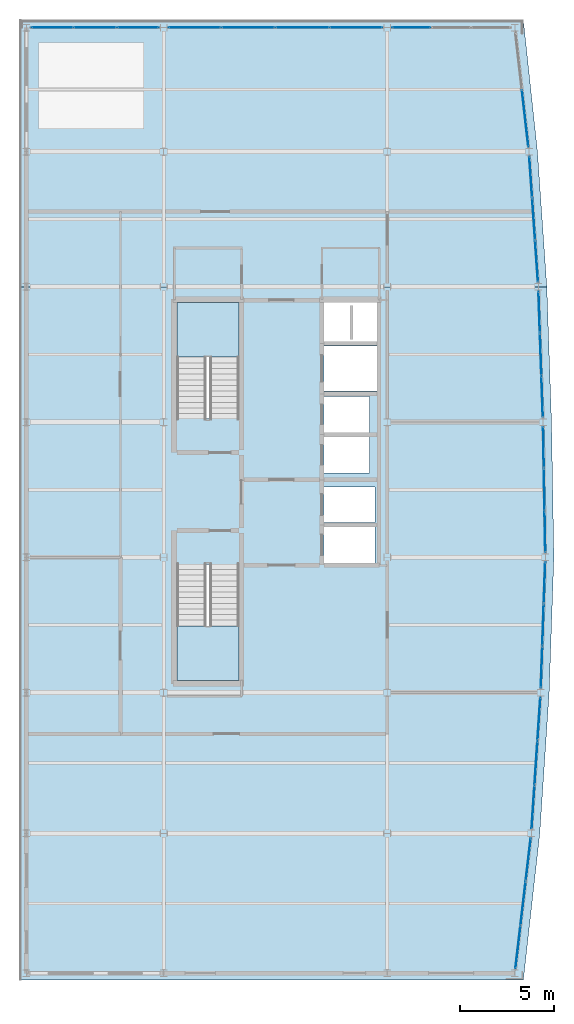
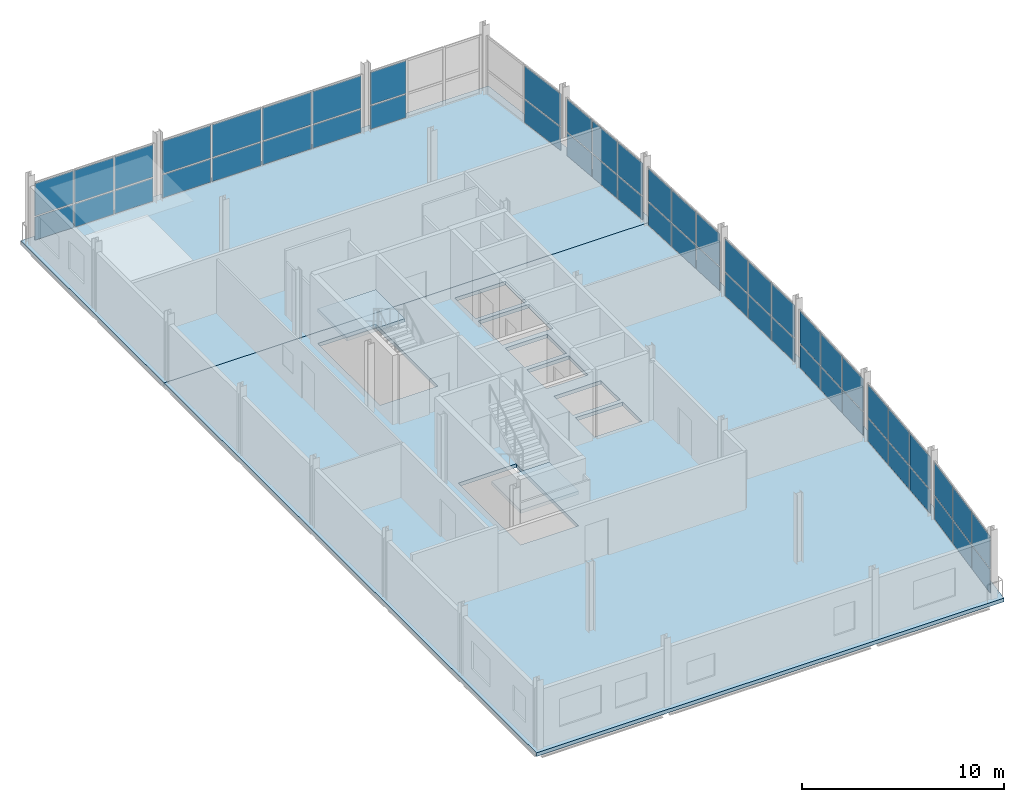
# One storey, part 14 of 20: 54 plates, 4 slabs, 12 elements without a shape of their own.
"""IFC4 building model written with IfcOpenShell, lengths in metres."""

from ifc_helpers import new_model, si_unit, direction, frame, origin, origin_2d, place, context, subcontext, project, spatial, polyline, rectangle, outline, extrude, material, layer, layer_set, type_object, element, aggregate, save


model = new_model("IFC4")

# Units and contexts
model_context = context("Model", 3, precision=1e-05, world=origin(), true_north=direction((0.0, 1.0)))
body_context = subcontext(model_context, "Body", "Model", "MODEL_VIEW")
ifc_project = project(units=[si_unit("LENGTHUNIT", "METRE"), si_unit("AREAUNIT", "SQUARE_METRE"), si_unit("VOLUMEUNIT", "CUBIC_METRE"), si_unit("PLANEANGLEUNIT", "RADIAN"), si_unit("MASSUNIT", "GRAM", prefix="KILO")], contexts=[model_context])

# Site, building, storey
site_placement = place(None, origin())
site = spatial("IfcSite", under=ifc_project, at=site_placement, CompositionType="ELEMENT")
building_placement = place(site_placement, origin())
building = spatial("IfcBuilding", under=site, at=building_placement, Name="Quillay Park Conservatory", CompositionType="ELEMENT")
storey_placement = place(building_placement, frame((0.0, 0.0, 26.699951171875)))
storey = spatial("IfcBuildingStorey", under=building, at=storey_placement, Name="L06", CompositionType="ELEMENT", Elevation=26.699951171875)

# Curtain wall, plates
ifc_material_1 = material(Name="Thermally Broken Anodised Aluminium 6063-T6", Category="aluminium")
ifc_layer_1 = layer(ifc_material_1, 0.199951171875)
ifc_layer_set_1 = layer_set([ifc_layer_1], Name="UNITISED CURTAIN WALL HERBARIUM (Thermally Broken Anodised Aluminium 6063-T6)")
curtain_wall_type = type_object("IfcCurtainWallType", Name="UNITISED CURTAIN WALL HERBARIUM", PredefinedType="USERDEFINED", material=ifc_layer_set_1)
curtain_wall_1_placement = place(storey_placement, origin())
curtain_wall_1 = element("IfcCurtainWall", 1, at=curtain_wall_1_placement, inside=storey, type_object=curtain_wall_type, Name="L06 Unitised Curtain Wall 058", ObjectType="UNITISED CURTAIN WALL", PredefinedType="USERDEFINED")
ifc_material_2 = material(Name="Low-E Double Glazing (Laminated Tempered)", Category="glass")
ifc_layer_2 = layer(ifc_material_2, 0.028076171875)
ifc_layer_set_2 = layer_set([ifc_layer_2], Name="CURTAIN WALL GLAZED PANEL 28 (Low-E Double Glazing (Laminated Tempered))")
plate_type = type_object("IfcPlateType", Name="CURTAIN WALL GLAZED PANEL 28", PredefinedType="CURTAIN_PANEL", material=ifc_layer_set_2)
plate_1_placement = place(storey_placement, frame((27.261474609375, 69.108642578125, 0.070068359375), z_axis=(0.0, 0.0, 1.0), x_axis=(-0.116654959918, -0.993172502804, 0.0)))
plate_1 = element("IfcPlate", 2, at=plate_1_placement, type_object=plate_type, Name="CW-T2 panel 1.1", PredefinedType="CURTAIN_PANEL", context=body_context, shape_type="SweptSolid", body=[
    extrude(rectangle(XDim=2.26220703125, YDim=0.028076171875, at=origin_2d()), origin(), (0.0, 0.0, 1.0), 1.39404296875),
])
plate_2_placement = place(storey_placement, frame((27.261474609375, 69.108642578125, 1.5341796875), z_axis=(0.0, 0.0, 1.0), x_axis=(-0.116654959918, -0.993172502804, 0.0)))
plate_2 = element("IfcPlate", 3, at=plate_2_placement, type_object=plate_type, Name="CW-T2 panel 1.2", PredefinedType="CURTAIN_PANEL", context=body_context, shape_type="SweptSolid", body=[
    extrude(rectangle(XDim=2.26220703125, YDim=0.028076171875, at=origin_2d()), origin(), (0.0, 0.0, 1.0), 1.965087890625),
])
plate_3_placement = place(storey_placement, frame((26.987548828125, 66.77490234375, 0.070068359375), z_axis=(0.0, 0.0, 1.0), x_axis=(-0.116654959918, -0.993172502804, 0.0)))
plate_3 = element("IfcPlate", 4, at=plate_3_placement, type_object=plate_type, Name="CW-T2 panel 2.1", PredefinedType="CURTAIN_PANEL", context=body_context, shape_type="SweptSolid", body=[
    extrude(rectangle(XDim=2.297119140625, YDim=0.028076171875, at=origin_2d()), origin(), (0.0, 0.0, 1.0), 1.39404296875),
])
plate_4_placement = place(storey_placement, frame((26.987548828125, 66.77490234375, 1.5341796875), z_axis=(0.0, 0.0, 1.0), x_axis=(-0.116654959918, -0.993172502804, 0.0)))
plate_4 = element("IfcPlate", 5, at=plate_4_placement, type_object=plate_type, Name="CW-T2 panel 2.2", PredefinedType="CURTAIN_PANEL", context=body_context, shape_type="SweptSolid", body=[
    extrude(rectangle(XDim=2.297119140625, YDim=0.028076171875, at=origin_2d()), origin(), (0.0, 0.0, 1.0), 1.965087890625),
])
plate_5_placement = place(storey_placement, frame((26.71337890625, 64.44140625, 0.070068359375), z_axis=(0.0, 0.0, 1.0), x_axis=(-0.116654959918, -0.993172502804, 0.0)))
plate_5 = element("IfcPlate", 6, at=plate_5_placement, type_object=plate_type, Name="CW-T2 panel 3.1", PredefinedType="CURTAIN_PANEL", context=body_context, shape_type="SweptSolid", body=[
    extrude(rectangle(XDim=2.26220703125, YDim=0.028076171875, at=origin_2d()), origin(), (0.0, 0.0, 1.0), 1.39404296875),
])
plate_6_placement = place(storey_placement, frame((26.71337890625, 64.44140625, 1.5341796875), z_axis=(0.0, 0.0, 1.0), x_axis=(-0.116654959918, -0.993172502804, 0.0)))
plate_6 = element("IfcPlate", 7, at=plate_6_placement, type_object=plate_type, Name="CW-T2 panel 3.2", PredefinedType="CURTAIN_PANEL", context=body_context, shape_type="SweptSolid", body=[
    extrude(rectangle(XDim=2.26220703125, YDim=0.028076171875, at=origin_2d()), origin(), (0.0, 0.0, 1.0), 1.965087890625),
])
aggregate(curtain_wall_1, [plate_1, plate_2, plate_3, plate_4, plate_5, plate_6])

curtain_wall_2_placement = place(storey_placement, origin())
curtain_wall_2 = element("IfcCurtainWall", 8, at=curtain_wall_2_placement, inside=storey, type_object=curtain_wall_type, Name="L06 Unitised Curtain Wall 059", ObjectType="UNITISED CURTAIN WALL", PredefinedType="USERDEFINED")
plate_7_placement = place(storey_placement, frame((27.83154296875, 76.599365234375, 0.070068359375), z_axis=(0.0, 0.0, 1.0), x_axis=(-0.0665208758, -0.997785033503, 0.0)))
plate_7 = element("IfcPlate", 9, at=plate_7_placement, type_object=plate_type, Name="CW-T2 panel 1.1", PredefinedType="CURTAIN_PANEL", context=body_context, shape_type="SweptSolid", body=[
    extrude(rectangle(XDim=2.26708984375, YDim=0.028076171875, at=origin_2d()), origin(), (0.0, 0.0, 1.0), 1.39404296875),
])
plate_8_placement = place(storey_placement, frame((27.83154296875, 76.599365234375, 1.5341796875), z_axis=(0.0, 0.0, 1.0), x_axis=(-0.0665208758, -0.997785033503, 0.0)))
plate_8 = element("IfcPlate", 10, at=plate_8_placement, type_object=plate_type, Name="CW-T2 panel 1.2", PredefinedType="CURTAIN_PANEL", context=body_context, shape_type="SweptSolid", body=[
    extrude(rectangle(XDim=2.26708984375, YDim=0.028076171875, at=origin_2d()), origin(), (0.0, 0.0, 1.0), 1.965087890625),
])
plate_9_placement = place(storey_placement, frame((27.675048828125, 74.25, 0.070068359375), z_axis=(0.0, 0.0, 1.0), x_axis=(-0.0665208758, -0.997785033503, 0.0)))
plate_9 = element("IfcPlate", 11, at=plate_9_placement, type_object=plate_type, Name="CW-T2 panel 2.1", PredefinedType="CURTAIN_PANEL", context=body_context, shape_type="SweptSolid", body=[
    extrude(rectangle(XDim=2.30224609375, YDim=0.028076171875, at=origin_2d()), origin(), (0.0, 0.0, 1.0), 1.39404296875),
])
plate_10_placement = place(storey_placement, frame((27.675048828125, 74.25, 1.5341796875), z_axis=(0.0, 0.0, 1.0), x_axis=(-0.0665208758, -0.997785033503, 0.0)))
plate_10 = element("IfcPlate", 12, at=plate_10_placement, type_object=plate_type, Name="CW-T2 panel 2.2", PredefinedType="CURTAIN_PANEL", context=body_context, shape_type="SweptSolid", body=[
    extrude(rectangle(XDim=2.30224609375, YDim=0.028076171875, at=origin_2d()), origin(), (0.0, 0.0, 1.0), 1.965087890625),
])
plate_11_placement = place(storey_placement, frame((27.518310546875, 71.900634765625, 0.070068359375), z_axis=(0.0, 0.0, 1.0), x_axis=(-0.0665208758, -0.997785033503, 0.0)))
plate_11 = element("IfcPlate", 13, at=plate_11_placement, type_object=plate_type, Name="CW-T2 panel 3.1", PredefinedType="CURTAIN_PANEL", context=body_context, shape_type="SweptSolid", body=[
    extrude(rectangle(XDim=2.26708984375, YDim=0.028076171875, at=origin_2d()), origin(), (0.0, 0.0, 1.0), 1.39404296875),
])
plate_12_placement = place(storey_placement, frame((27.518310546875, 71.900634765625, 1.5341796875), z_axis=(0.0, 0.0, 1.0), x_axis=(-0.0665208758, -0.997785033503, 0.0)))
plate_12 = element("IfcPlate", 14, at=plate_12_placement, type_object=plate_type, Name="CW-T2 panel 3.2", PredefinedType="CURTAIN_PANEL", context=body_context, shape_type="SweptSolid", body=[
    extrude(rectangle(XDim=2.26708984375, YDim=0.028076171875, at=origin_2d()), origin(), (0.0, 0.0, 1.0), 1.965087890625),
])
aggregate(curtain_wall_2, [plate_7, plate_8, plate_9, plate_10, plate_11, plate_12])

curtain_wall_3_placement = place(storey_placement, origin())
curtain_wall_3 = element("IfcCurtainWall", 15, at=curtain_wall_3_placement, inside=storey, type_object=curtain_wall_type, Name="L06 Unitised Curtain Wall 060", ObjectType="UNITISED CURTAIN WALL", PredefinedType="USERDEFINED")
plate_13_placement = place(storey_placement, frame((28.128173828125, 83.849365234375, 0.070068359375), z_axis=(0.0, 0.0, 1.0), x_axis=(-0.034713338537, -0.999397310446, 0.0)))
plate_13 = element("IfcPlate", 16, at=plate_13_placement, type_object=plate_type, Name="CW-T2 panel 1.1", PredefinedType="CURTAIN_PANEL", context=body_context, shape_type="SweptSolid", body=[
    extrude(rectangle(XDim=2.1630859375, YDim=0.028076171875, at=origin_2d()), origin(), (0.0, 0.0, 1.0), 1.39404296875),
])
plate_14_placement = place(storey_placement, frame((28.128173828125, 83.849365234375, 1.5341796875), z_axis=(0.0, 0.0, 1.0), x_axis=(-0.034713338537, -0.999397310446, 0.0)))
plate_14 = element("IfcPlate", 17, at=plate_14_placement, type_object=plate_type, Name="CW-T2 panel 1.2", PredefinedType="CURTAIN_PANEL", context=body_context, shape_type="SweptSolid", body=[
    extrude(rectangle(XDim=2.1630859375, YDim=0.028076171875, at=origin_2d()), origin(), (0.0, 0.0, 1.0), 1.965087890625),
])
plate_15_placement = place(storey_placement, frame((28.050048828125, 81.60009765625, 0.070068359375), z_axis=(0.0, 0.0, 1.0), x_axis=(-0.034713338537, -0.999397310446, 0.0)))
plate_15 = element("IfcPlate", 18, at=plate_15_placement, type_object=plate_type, Name="CW-T2 panel 2.1", PredefinedType="CURTAIN_PANEL", context=body_context, shape_type="SweptSolid", body=[
    extrude(rectangle(XDim=2.197998046875, YDim=0.028076171875, at=origin_2d()), origin(), (0.0, 0.0, 1.0), 1.39404296875),
])
plate_16_placement = place(storey_placement, frame((28.050048828125, 81.60009765625, 1.5341796875), z_axis=(0.0, 0.0, 1.0), x_axis=(-0.034713338537, -0.999397310446, 0.0)))
plate_16 = element("IfcPlate", 19, at=plate_16_placement, type_object=plate_type, Name="CW-T2 panel 2.2", PredefinedType="CURTAIN_PANEL", context=body_context, shape_type="SweptSolid", body=[
    extrude(rectangle(XDim=2.197998046875, YDim=0.028076171875, at=origin_2d()), origin(), (0.0, 0.0, 1.0), 1.965087890625),
])
plate_17_placement = place(storey_placement, frame((27.971923828125, 79.350830078125, 0.070068359375), z_axis=(0.0, 0.0, 1.0), x_axis=(-0.034713338537, -0.999397310446, 0.0)))
plate_17 = element("IfcPlate", 20, at=plate_17_placement, type_object=plate_type, Name="CW-T2 panel 3.1", PredefinedType="CURTAIN_PANEL", context=body_context, shape_type="SweptSolid", body=[
    extrude(rectangle(XDim=2.1630859375, YDim=0.028076171875, at=origin_2d()), origin(), (0.0, 0.0, 1.0), 1.39404296875),
])
plate_18_placement = place(storey_placement, frame((27.971923828125, 79.350830078125, 1.5341796875), z_axis=(0.0, 0.0, 1.0), x_axis=(-0.034713338537, -0.999397310446, 0.0)))
plate_18 = element("IfcPlate", 21, at=plate_18_placement, type_object=plate_type, Name="CW-T2 panel 3.2", PredefinedType="CURTAIN_PANEL", context=body_context, shape_type="SweptSolid", body=[
    extrude(rectangle(XDim=2.1630859375, YDim=0.028076171875, at=origin_2d()), origin(), (0.0, 0.0, 1.0), 1.965087890625),
])
aggregate(curtain_wall_3, [plate_13, plate_14, plate_15, plate_16, plate_17, plate_18])

curtain_wall_4_placement = place(storey_placement, origin())
curtain_wall_4 = element("IfcCurtainWall", 22, at=curtain_wall_4_placement, inside=storey, type_object=curtain_wall_type, Name="L06 Unitised Curtain Wall 061", ObjectType="UNITISED CURTAIN WALL", PredefinedType="USERDEFINED")
plate_19_placement = place(storey_placement, frame((28.073486328125, 91.049072265625, 0.070068359375), z_axis=(0.0, 0.0, 1.0), x_axis=(0.017350329071, -0.999849471711, 0.0)))
plate_19 = element("IfcPlate", 23, at=plate_19_placement, type_object=plate_type, Name="CW-T2 panel 1.1", PredefinedType="CURTAIN_PANEL", context=body_context, shape_type="SweptSolid", body=[
    extrude(rectangle(XDim=2.162109375, YDim=0.028076171875, at=origin_2d()), origin(), (0.0, 0.0, 1.0), 1.39404296875),
])
plate_20_placement = place(storey_placement, frame((28.073486328125, 91.049072265625, 1.5341796875), z_axis=(0.0, 0.0, 1.0), x_axis=(0.017350329071, -0.999849471711, 0.0)))
plate_20 = element("IfcPlate", 24, at=plate_20_placement, type_object=plate_type, Name="CW-T2 panel 1.2", PredefinedType="CURTAIN_PANEL", context=body_context, shape_type="SweptSolid", body=[
    extrude(rectangle(XDim=2.162109375, YDim=0.028076171875, at=origin_2d()), origin(), (0.0, 0.0, 1.0), 1.965087890625),
])
plate_21_placement = place(storey_placement, frame((28.112548828125, 88.800048828125, 0.070068359375), z_axis=(0.0, 0.0, 1.0), x_axis=(0.017350329071, -0.999849471711, 0.0)))
plate_21 = element("IfcPlate", 25, at=plate_21_placement, type_object=plate_type, Name="CW-T2 panel 2.1", PredefinedType="CURTAIN_PANEL", context=body_context, shape_type="SweptSolid", body=[
    extrude(rectangle(XDim=2.197021484375, YDim=0.028076171875, at=origin_2d()), origin(), (0.0, 0.0, 1.0), 1.39404296875),
])
plate_22_placement = place(storey_placement, frame((28.112548828125, 88.800048828125, 1.5341796875), z_axis=(0.0, 0.0, 1.0), x_axis=(0.017350329071, -0.999849471711, 0.0)))
plate_22 = element("IfcPlate", 26, at=plate_22_placement, type_object=plate_type, Name="CW-T2 panel 2.2", PredefinedType="CURTAIN_PANEL", context=body_context, shape_type="SweptSolid", body=[
    extrude(rectangle(XDim=2.197021484375, YDim=0.028076171875, at=origin_2d()), origin(), (0.0, 0.0, 1.0), 1.965087890625),
])
plate_23_placement = place(storey_placement, frame((28.151611328125, 86.55078125, 0.070068359375), z_axis=(0.0, 0.0, 1.0), x_axis=(0.017350329071, -0.999849471711, 0.0)))
plate_23 = element("IfcPlate", 27, at=plate_23_placement, type_object=plate_type, Name="CW-T2 panel 3.1", PredefinedType="CURTAIN_PANEL", context=body_context, shape_type="SweptSolid", body=[
    extrude(rectangle(XDim=2.162109375, YDim=0.028076171875, at=origin_2d()), origin(), (0.0, 0.0, 1.0), 1.39404296875),
])
plate_24_placement = place(storey_placement, frame((28.151611328125, 86.55078125, 1.5341796875), z_axis=(0.0, 0.0, 1.0), x_axis=(0.017350329071, -0.999849471711, 0.0)))
plate_24 = element("IfcPlate", 28, at=plate_24_placement, type_object=plate_type, Name="CW-T2 panel 3.2", PredefinedType="CURTAIN_PANEL", context=body_context, shape_type="SweptSolid", body=[
    extrude(rectangle(XDim=2.162109375, YDim=0.028076171875, at=origin_2d()), origin(), (0.0, 0.0, 1.0), 1.965087890625),
])
aggregate(curtain_wall_4, [plate_19, plate_20, plate_21, plate_22, plate_23, plate_24])

curtain_wall_5_placement = place(storey_placement, origin())
curtain_wall_5 = element("IfcCurtainWall", 29, at=curtain_wall_5_placement, inside=storey, type_object=curtain_wall_type, Name="L06 Unitised Curtain Wall 062", ObjectType="UNITISED CURTAIN WALL", PredefinedType="USERDEFINED")
plate_25_placement = place(storey_placement, frame((27.846923828125, 98.249267578125, 0.070068359375), z_axis=(0.0, 0.0, 1.0), x_axis=(0.034713338537, -0.999397310446, 0.0)))
plate_25 = element("IfcPlate", 30, at=plate_25_placement, type_object=plate_type, Name="CW-T2 panel 1.1", PredefinedType="CURTAIN_PANEL", context=body_context, shape_type="SweptSolid", body=[
    extrude(rectangle(XDim=2.1630859375, YDim=0.028076171875, at=origin_2d()), origin(), (0.0, 0.0, 1.0), 1.39404296875),
])
plate_26_placement = place(storey_placement, frame((27.846923828125, 98.249267578125, 1.5341796875), z_axis=(0.0, 0.0, 1.0), x_axis=(0.034713338537, -0.999397310446, 0.0)))
plate_26 = element("IfcPlate", 31, at=plate_26_placement, type_object=plate_type, Name="CW-T2 panel 1.2", PredefinedType="CURTAIN_PANEL", context=body_context, shape_type="SweptSolid", body=[
    extrude(rectangle(XDim=2.1630859375, YDim=0.028076171875, at=origin_2d()), origin(), (0.0, 0.0, 1.0), 1.965087890625),
])
plate_27_placement = place(storey_placement, frame((27.925048828125, 96.0, 0.070068359375), z_axis=(0.0, 0.0, 1.0), x_axis=(0.034713338537, -0.999397310446, 0.0)))
plate_27 = element("IfcPlate", 32, at=plate_27_placement, type_object=plate_type, Name="CW-T2 panel 2.1", PredefinedType="CURTAIN_PANEL", context=body_context, shape_type="SweptSolid", body=[
    extrude(rectangle(XDim=2.197998046875, YDim=0.028076171875, at=origin_2d()), origin(), (0.0, 0.0, 1.0), 1.39404296875),
])
plate_28_placement = place(storey_placement, frame((27.925048828125, 96.0, 1.5341796875), z_axis=(0.0, 0.0, 1.0), x_axis=(0.034713338537, -0.999397310446, 0.0)))
plate_28 = element("IfcPlate", 33, at=plate_28_placement, type_object=plate_type, Name="CW-T2 panel 2.2", PredefinedType="CURTAIN_PANEL", context=body_context, shape_type="SweptSolid", body=[
    extrude(rectangle(XDim=2.197998046875, YDim=0.028076171875, at=origin_2d()), origin(), (0.0, 0.0, 1.0), 1.965087890625),
])
plate_29_placement = place(storey_placement, frame((28.003173828125, 93.750732421875, 0.070068359375), z_axis=(0.0, 0.0, 1.0), x_axis=(0.034713338537, -0.999397310446, 0.0)))
plate_29 = element("IfcPlate", 34, at=plate_29_placement, type_object=plate_type, Name="CW-T2 panel 3.1", PredefinedType="CURTAIN_PANEL", context=body_context, shape_type="SweptSolid", body=[
    extrude(rectangle(XDim=2.1630859375, YDim=0.028076171875, at=origin_2d()), origin(), (0.0, 0.0, 1.0), 1.39404296875),
])
plate_30_placement = place(storey_placement, frame((28.003173828125, 93.750732421875, 1.5341796875), z_axis=(0.0, 0.0, 1.0), x_axis=(0.034713338537, -0.999397310446, 0.0)))
plate_30 = element("IfcPlate", 35, at=plate_30_placement, type_object=plate_type, Name="CW-T2 panel 3.2", PredefinedType="CURTAIN_PANEL", context=body_context, shape_type="SweptSolid", body=[
    extrude(rectangle(XDim=2.1630859375, YDim=0.028076171875, at=origin_2d()), origin(), (0.0, 0.0, 1.0), 1.965087890625),
])
aggregate(curtain_wall_5, [plate_25, plate_26, plate_27, plate_28, plate_29, plate_30])

curtain_wall_6_placement = place(storey_placement, origin())
curtain_wall_6 = element("IfcCurtainWall", 36, at=curtain_wall_6_placement, inside=storey, type_object=curtain_wall_type, Name="L06 Unitised Curtain Wall 063", ObjectType="UNITISED CURTAIN WALL", PredefinedType="USERDEFINED")
plate_31_placement = place(storey_placement, frame((27.393798828125, 105.449462890625, 0.070068359375), z_axis=(0.0, 0.0, 1.0), x_axis=(0.069264217159, -0.99759835015, 0.0)))
plate_31 = element("IfcPlate", 37, at=plate_31_placement, type_object=plate_type, Name="CW-T2 panel 1.1", PredefinedType="CURTAIN_PANEL", context=body_context, shape_type="SweptSolid", body=[
    extrude(rectangle(XDim=2.16748046875, YDim=0.028076171875, at=origin_2d()), origin(), (0.0, 0.0, 1.0), 1.39404296875),
])
plate_32_placement = place(storey_placement, frame((27.393798828125, 105.449462890625, 1.5341796875), z_axis=(0.0, 0.0, 1.0), x_axis=(0.069264217159, -0.99759835015, 0.0)))
plate_32 = element("IfcPlate", 38, at=plate_32_placement, type_object=plate_type, Name="CW-T2 panel 1.2", PredefinedType="CURTAIN_PANEL", context=body_context, shape_type="SweptSolid", body=[
    extrude(rectangle(XDim=2.16748046875, YDim=0.028076171875, at=origin_2d()), origin(), (0.0, 0.0, 1.0), 1.965087890625),
])
plate_33_placement = place(storey_placement, frame((27.550048828125, 103.199951171875, 0.070068359375), z_axis=(0.0, 0.0, 1.0), x_axis=(0.069264217159, -0.99759835015, 0.0)))
plate_33 = element("IfcPlate", 39, at=plate_33_placement, type_object=plate_type, Name="CW-T2 panel 2.1", PredefinedType="CURTAIN_PANEL", context=body_context, shape_type="SweptSolid", body=[
    extrude(rectangle(XDim=2.202392578125, YDim=0.028076171875, at=origin_2d()), origin(), (0.0, 0.0, 1.0), 1.39404296875),
])
plate_34_placement = place(storey_placement, frame((27.550048828125, 103.199951171875, 1.5341796875), z_axis=(0.0, 0.0, 1.0), x_axis=(0.069264217159, -0.99759835015, 0.0)))
plate_34 = element("IfcPlate", 40, at=plate_34_placement, type_object=plate_type, Name="CW-T2 panel 2.2", PredefinedType="CURTAIN_PANEL", context=body_context, shape_type="SweptSolid", body=[
    extrude(rectangle(XDim=2.202392578125, YDim=0.028076171875, at=origin_2d()), origin(), (0.0, 0.0, 1.0), 1.965087890625),
])
plate_35_placement = place(storey_placement, frame((27.706298828125, 100.950439453125, 0.070068359375), z_axis=(0.0, 0.0, 1.0), x_axis=(0.069264217159, -0.99759835015, 0.0)))
plate_35 = element("IfcPlate", 41, at=plate_35_placement, type_object=plate_type, Name="CW-T2 panel 3.1", PredefinedType="CURTAIN_PANEL", context=body_context, shape_type="SweptSolid", body=[
    extrude(rectangle(XDim=2.16748046875, YDim=0.028076171875, at=origin_2d()), origin(), (0.0, 0.0, 1.0), 1.39404296875),
])
plate_36_placement = place(storey_placement, frame((27.706298828125, 100.950439453125, 1.5341796875), z_axis=(0.0, 0.0, 1.0), x_axis=(0.069264217159, -0.99759835015, 0.0)))
plate_36 = element("IfcPlate", 42, at=plate_36_placement, type_object=plate_type, Name="CW-T2 panel 3.2", PredefinedType="CURTAIN_PANEL", context=body_context, shape_type="SweptSolid", body=[
    extrude(rectangle(XDim=2.16748046875, YDim=0.028076171875, at=origin_2d()), origin(), (0.0, 0.0, 1.0), 1.965087890625),
])
aggregate(curtain_wall_6, [plate_31, plate_32, plate_33, plate_34, plate_35, plate_36])

curtain_wall_7_placement = place(storey_placement, origin())
curtain_wall_7 = element("IfcCurtainWall", 43, at=curtain_wall_7_placement, inside=storey, type_object=curtain_wall_type, Name="L06 Unitised Curtain Wall 064", ObjectType="UNITISED CURTAIN WALL", PredefinedType="USERDEFINED")
plate_37_placement = place(storey_placement, frame((27.09912109375, 108.566650390625, 0.070068359375), z_axis=(0.0, 0.0, 1.0), x_axis=(0.112903218278, -0.993605989969, 0.0)))
plate_37 = element("IfcPlate", 44, at=plate_37_placement, type_object=plate_type, Name="CW-T2 panel 2.1", PredefinedType="CURTAIN_PANEL", context=body_context, shape_type="SweptSolid", body=[
    extrude(rectangle(XDim=3.016357421875, YDim=0.028076171875, at=origin_2d()), origin(), (0.0, 0.0, 1.0), 1.39404296875),
])
plate_38_placement = place(storey_placement, frame((27.09912109375, 108.566650390625, 1.5341796875), z_axis=(0.0, 0.0, 1.0), x_axis=(0.112903218278, -0.993605989969, 0.0)))
plate_38 = element("IfcPlate", 45, at=plate_38_placement, type_object=plate_type, Name="CW-T2 panel 2.2", PredefinedType="CURTAIN_PANEL", context=body_context, shape_type="SweptSolid", body=[
    extrude(rectangle(XDim=3.016357421875, YDim=0.028076171875, at=origin_2d()), origin(), (0.0, 0.0, 1.0), 1.965087890625),
])
aggregate(curtain_wall_7, [plate_37, plate_38])

curtain_wall_8_placement = place(storey_placement, origin())
curtain_wall_8 = element("IfcCurtainWall", 46, at=curtain_wall_8_placement, inside=storey, type_object=curtain_wall_type, Name="L06 Unitised Curtain Wall 065", ObjectType="UNITISED CURTAIN WALL", PredefinedType="USERDEFINED")
plate_39_placement = place(storey_placement, frame((1.91748046875, 113.39990234375, 0.070068359375), z_axis=(0.0, 0.0, 1.0), x_axis=(1.0, 0.0, 0.0)))
plate_39 = element("IfcPlate", 47, at=plate_39_placement, type_object=plate_type, Name="CW-T2 panel 1.1", PredefinedType="CURTAIN_PANEL", context=body_context, shape_type="SweptSolid", body=[
    extrude(rectangle(XDim=2.195068359375, YDim=0.028076171875, at=origin_2d()), origin(), (0.0, 0.0, 1.0), 1.39404296875),
])
plate_40_placement = place(storey_placement, frame((1.91748046875, 113.39990234375, 1.5341796875), z_axis=(0.0, 0.0, 1.0), x_axis=(1.0, 0.0, 0.0)))
plate_40 = element("IfcPlate", 48, at=plate_40_placement, type_object=plate_type, Name="CW-T2 panel 1.2", PredefinedType="CURTAIN_PANEL", context=body_context, shape_type="SweptSolid", body=[
    extrude(rectangle(XDim=2.195068359375, YDim=0.028076171875, at=origin_2d()), origin(), (0.0, 0.0, 1.0), 1.965087890625),
])
plate_41_placement = place(storey_placement, frame((4.199951171875, 113.39990234375, 0.070068359375), z_axis=(0.0, 0.0, 1.0), x_axis=(1.0, 0.0, 0.0)))
plate_41 = element("IfcPlate", 49, at=plate_41_placement, type_object=plate_type, Name="CW-T2 panel 2.1", PredefinedType="CURTAIN_PANEL", context=body_context, shape_type="SweptSolid", body=[
    extrude(rectangle(XDim=2.22998046875, YDim=0.028076171875, at=origin_2d()), origin(), (0.0, 0.0, 1.0), 1.39404296875),
])
plate_42_placement = place(storey_placement, frame((4.199951171875, 113.39990234375, 1.5341796875), z_axis=(0.0, 0.0, 1.0), x_axis=(1.0, 0.0, 0.0)))
plate_42 = element("IfcPlate", 50, at=plate_42_placement, type_object=plate_type, Name="CW-T2 panel 2.2", PredefinedType="CURTAIN_PANEL", context=body_context, shape_type="SweptSolid", body=[
    extrude(rectangle(XDim=2.22998046875, YDim=0.028076171875, at=origin_2d()), origin(), (0.0, 0.0, 1.0), 1.965087890625),
])
plate_43_placement = place(storey_placement, frame((6.482421875, 113.39990234375, 0.070068359375), z_axis=(0.0, 0.0, 1.0), x_axis=(1.0, 0.0, 0.0)))
plate_43 = element("IfcPlate", 51, at=plate_43_placement, type_object=plate_type, Name="CW-T2 panel 3.1", PredefinedType="CURTAIN_PANEL", context=body_context, shape_type="SweptSolid", body=[
    extrude(rectangle(XDim=2.195068359375, YDim=0.028076171875, at=origin_2d()), origin(), (0.0, 0.0, 1.0), 1.39404296875),
])
plate_44_placement = place(storey_placement, frame((6.482421875, 113.39990234375, 1.5341796875), z_axis=(0.0, 0.0, 1.0), x_axis=(1.0, 0.0, 0.0)))
plate_44 = element("IfcPlate", 52, at=plate_44_placement, type_object=plate_type, Name="CW-T2 panel 3.2", PredefinedType="CURTAIN_PANEL", context=body_context, shape_type="SweptSolid", body=[
    extrude(rectangle(XDim=2.195068359375, YDim=0.028076171875, at=origin_2d()), origin(), (0.0, 0.0, 1.0), 1.965087890625),
])
aggregate(curtain_wall_8, [plate_39, plate_40, plate_41, plate_42, plate_43, plate_44])

curtain_wall_9_placement = place(storey_placement, origin())
curtain_wall_9 = element("IfcCurtainWall", 53, at=curtain_wall_9_placement, inside=storey, type_object=curtain_wall_type, Name="L06 Unitised Curtain Wall 066", ObjectType="UNITISED CURTAIN WALL", PredefinedType="USERDEFINED")
plate_45_placement = place(storey_placement, frame((9.5048828125, 113.39990234375, 0.070068359375), z_axis=(0.0, 0.0, 1.0), x_axis=(1.0, 0.0, 0.0)))
plate_45 = element("IfcPlate", 54, at=plate_45_placement, type_object=plate_type, Name="CW-T2 panel 1.1", PredefinedType="CURTAIN_PANEL", context=body_context, shape_type="SweptSolid", body=[
    extrude(rectangle(XDim=2.77001953125, YDim=0.028076171875, at=origin_2d()), origin(), (0.0, 0.0, 1.0), 1.39404296875),
])
plate_46_placement = place(storey_placement, frame((9.5048828125, 113.39990234375, 1.5341796875), z_axis=(0.0, 0.0, 1.0), x_axis=(1.0, 0.0, 0.0)))
plate_46 = element("IfcPlate", 55, at=plate_46_placement, type_object=plate_type, Name="CW-T2 panel 1.2", PredefinedType="CURTAIN_PANEL", context=body_context, shape_type="SweptSolid", body=[
    extrude(rectangle(XDim=2.77001953125, YDim=0.028076171875, at=origin_2d()), origin(), (0.0, 0.0, 1.0), 1.965087890625),
])
plate_47_placement = place(storey_placement, frame((12.362548828125, 113.39990234375, 0.070068359375), z_axis=(0.0, 0.0, 1.0), x_axis=(1.0, 0.0, 0.0)))
plate_47 = element("IfcPlate", 56, at=plate_47_placement, type_object=plate_type, Name="CW-T2 panel 2.1", PredefinedType="CURTAIN_PANEL", context=body_context, shape_type="SweptSolid", body=[
    extrude(rectangle(XDim=2.804931640625, YDim=0.028076171875, at=origin_2d()), origin(), (0.0, 0.0, 1.0), 1.39404296875),
])
plate_48_placement = place(storey_placement, frame((12.362548828125, 113.39990234375, 1.5341796875), z_axis=(0.0, 0.0, 1.0), x_axis=(1.0, 0.0, 0.0)))
plate_48 = element("IfcPlate", 57, at=plate_48_placement, type_object=plate_type, Name="CW-T2 panel 2.2", PredefinedType="CURTAIN_PANEL", context=body_context, shape_type="SweptSolid", body=[
    extrude(rectangle(XDim=2.804931640625, YDim=0.028076171875, at=origin_2d()), origin(), (0.0, 0.0, 1.0), 1.965087890625),
])
plate_49_placement = place(storey_placement, frame((15.237548828125, 113.39990234375, 0.070068359375), z_axis=(0.0, 0.0, 1.0), x_axis=(1.0, 0.0, 0.0)))
plate_49 = element("IfcPlate", 58, at=plate_49_placement, type_object=plate_type, Name="CW-T2 panel 3.1", PredefinedType="CURTAIN_PANEL", context=body_context, shape_type="SweptSolid", body=[
    extrude(rectangle(XDim=2.804931640625, YDim=0.028076171875, at=origin_2d()), origin(), (0.0, 0.0, 1.0), 1.39404296875),
])
plate_50_placement = place(storey_placement, frame((15.237548828125, 113.39990234375, 1.5341796875), z_axis=(0.0, 0.0, 1.0), x_axis=(1.0, 0.0, 0.0)))
plate_50 = element("IfcPlate", 59, at=plate_50_placement, type_object=plate_type, Name="CW-T2 panel 3.2", PredefinedType="CURTAIN_PANEL", context=body_context, shape_type="SweptSolid", body=[
    extrude(rectangle(XDim=2.804931640625, YDim=0.028076171875, at=origin_2d()), origin(), (0.0, 0.0, 1.0), 1.965087890625),
])
plate_51_placement = place(storey_placement, frame((18.094970703125, 113.39990234375, 0.070068359375), z_axis=(0.0, 0.0, 1.0), x_axis=(1.0, 0.0, 0.0)))
plate_51 = element("IfcPlate", 60, at=plate_51_placement, type_object=plate_type, Name="CW-T2 panel 4.1", PredefinedType="CURTAIN_PANEL", context=body_context, shape_type="SweptSolid", body=[
    extrude(rectangle(XDim=2.77001953125, YDim=0.028076171875, at=origin_2d()), origin(), (0.0, 0.0, 1.0), 1.39404296875),
])
plate_52_placement = place(storey_placement, frame((18.094970703125, 113.39990234375, 1.5341796875), z_axis=(0.0, 0.0, 1.0), x_axis=(1.0, 0.0, 0.0)))
plate_52 = element("IfcPlate", 61, at=plate_52_placement, type_object=plate_type, Name="CW-T2 panel 4.2", PredefinedType="CURTAIN_PANEL", context=body_context, shape_type="SweptSolid", body=[
    extrude(rectangle(XDim=2.77001953125, YDim=0.028076171875, at=origin_2d()), origin(), (0.0, 0.0, 1.0), 1.965087890625),
])
aggregate(curtain_wall_9, [plate_45, plate_46, plate_47, plate_48, plate_49, plate_50, plate_51, plate_52])

curtain_wall_10_placement = place(storey_placement, origin())
curtain_wall_10 = element("IfcCurtainWall", 62, at=curtain_wall_10_placement, inside=storey, type_object=curtain_wall_type, Name="L06 Unitised Curtain Wall 067", ObjectType="UNITISED CURTAIN WALL", PredefinedType="USERDEFINED")
plate_53_placement = place(storey_placement, frame((21.0341796875, 113.39990234375, 0.070068359375), z_axis=(0.0, 0.0, 1.0), x_axis=(1.0, 0.0, 0.0)))
plate_53 = element("IfcPlate", 63, at=plate_53_placement, type_object=plate_type, Name="CW-T2 panel 1.1", PredefinedType="CURTAIN_PANEL", context=body_context, shape_type="SweptSolid", body=[
    extrude(rectangle(XDim=2.0283203125, YDim=0.028076171875, at=origin_2d()), origin(), (0.0, 0.0, 1.0), 1.39404296875),
])
plate_54_placement = place(storey_placement, frame((21.0341796875, 113.39990234375, 1.5341796875), z_axis=(0.0, 0.0, 1.0), x_axis=(1.0, 0.0, 0.0)))
plate_54 = element("IfcPlate", 64, at=plate_54_placement, type_object=plate_type, Name="CW-T2 panel 1.2", PredefinedType="CURTAIN_PANEL", context=body_context, shape_type="SweptSolid", body=[
    extrude(rectangle(XDim=2.0283203125, YDim=0.028076171875, at=origin_2d()), origin(), (0.0, 0.0, 1.0), 1.965087890625),
])
aggregate(curtain_wall_10, [plate_53, plate_54])

# Stair, slab
ifc_material_3 = material(Name="Concrete C35/45 (NCh170 Concrete C35/45)", Category="concrete")
stair_type = type_object("IfcStairType", Name="ENCLOSED DOG LEG STAIR 4200", PredefinedType="HALF_TURN_STAIR", material=ifc_material_3)
stair_1_placement = place(storey_placement, origin())
stair_1 = element("IfcStair", 65, at=stair_1_placement, inside=storey, type_object=stair_type, Name="L06 Tower Protected Exit Stair 1", PredefinedType="HALF_TURN_STAIR")
ifc_material_4 = material(Name="Concrete C35/45 (NCh170 Concrete C35/45)", Category="concrete")
ifc_layer_3 = layer(ifc_material_4, 0.199951171875)
ifc_layer_set_3 = layer_set([ifc_layer_3], Name="STAIR LANDING SLAB 200 (Concrete C35/45 (NCh170 Concrete C35/45))")
slab_type_1 = type_object("IfcSlabType", Name="STAIR LANDING SLAB 200", PredefinedType="LANDING", material=ifc_layer_set_3)
slab_1_placement = place(storey_placement, frame((0.0, 0.0, 1.900146484375)))
slab_1 = element("IfcSlab", 66, at=slab_1_placement, type_object=slab_type_1, Name="ST-T1 landing 1", PredefinedType="LANDING", context=body_context, shape_type="SweptSolid", body=[
    extrude(outline(polyline([(11.8701171875, 95.85009765625), (11.8701171875, 98.75), (8.550048828125, 98.75), (8.550048828125, 95.85009765625), (11.8701171875, 95.85009765625)])), origin(), (0.0, 0.0, 1.0), 0.199951171875),
])
aggregate(stair_1, [slab_1])

stair_2_placement = place(storey_placement, origin())
stair_2 = element("IfcStair", 67, at=stair_2_placement, inside=storey, type_object=stair_type, Name="L06 Tower Protected Exit Stair 2", PredefinedType="HALF_TURN_STAIR")
slab_2_placement = place(storey_placement, frame((0.0, 0.0, 1.900146484375)))
slab_2 = element("IfcSlab", 68, at=slab_2_placement, type_object=slab_type_1, Name="ST-T2 landing 1", PredefinedType="LANDING", context=body_context, shape_type="SweptSolid", body=[
    extrude(outline(polyline([(8.550048828125, 81.550048828125), (8.550048828125, 78.64990234375), (11.8701171875, 78.64990234375), (11.8701171875, 81.550048828125), (8.550048828125, 81.550048828125)])), origin(), (0.0, 0.0, 1.0), 0.199951171875),
])
aggregate(stair_2, [slab_2])

# Slabs
ifc_material_5 = material(Name="Concrete C35/45 (NCh170 Concrete C35/45)", Category="concrete")
ifc_layer_4 = layer(ifc_material_5, 0.219970703125)
ifc_layer_set_4 = layer_set([ifc_layer_4], Name="SUSPENDED FLOOR SLAB 220 (Concrete C35/45 (NCh170 Concrete C35/45))")
slab_type_2 = type_object("IfcSlabType", Name="SUSPENDED FLOOR SLAB 220", PredefinedType="FLOOR", material=ifc_layer_set_4)
slab_3_placement = place(storey_placement, frame((0.0, 0.0, -0.219970703125)))
element("IfcSlab", 69, at=slab_3_placement, inside=storey, type_object=slab_type_2, Name="L06 Research Tower South Chord Plate", PredefinedType="FLOOR", context=body_context, shape_type="SweptSolid", body=[
    extrude(outline(polyline([(0.25, 62.699951171875), (27.0, 62.699951171875), (27.875, 70.5), (28.375, 78.0), (28.625, 85.199951171875), (28.5, 92.39990234375), (28.25, 99.60009765625), (0.25, 99.60009765625), (0.25, 62.699951171875)]), holes=[polyline([(8.550048828125, 92.580078125), (11.8701171875, 92.580078125), (11.8701171875, 98.75), (8.550048828125, 98.75), (8.550048828125, 92.580078125)]), polyline([(8.550048828125, 78.64990234375), (11.8701171875, 78.64990234375), (11.8701171875, 84.820068359375), (8.550048828125, 84.820068359375), (8.550048828125, 78.64990234375)]), polyline([(16.39990234375, 84.89990234375), (19.10009765625, 84.89990234375), (19.10009765625, 86.800048828125), (16.39990234375, 86.800048828125), (16.39990234375, 84.89990234375)]), polyline([(16.39990234375, 87.050048828125), (19.10009765625, 87.050048828125), (19.10009765625, 88.949951171875), (16.39990234375, 88.949951171875), (16.39990234375, 87.050048828125)]), polyline([(16.39990234375, 89.699951171875), (18.800048828125, 89.699951171875), (18.800048828125, 91.60009765625), (16.39990234375, 91.60009765625), (16.39990234375, 89.699951171875)]), polyline([(16.39990234375, 91.85009765625), (18.800048828125, 91.85009765625), (18.800048828125, 93.75), (16.39990234375, 93.75), (16.39990234375, 91.85009765625)]), polyline([(16.39990234375, 94.050048828125), (19.300048828125, 94.050048828125), (19.300048828125, 96.449951171875), (16.39990234375, 96.449951171875), (16.39990234375, 94.050048828125)]), polyline([(16.39990234375, 96.699951171875), (19.300048828125, 96.699951171875), (19.300048828125, 98.75), (16.39990234375, 98.75), (16.39990234375, 96.699951171875)])]), origin(), (0.0, 0.0, 1.0), 0.219970703125),
])
slab_4_placement = place(storey_placement, frame((0.0, 0.0, -0.219970703125)))
element("IfcSlab", 70, at=slab_4_placement, inside=storey, type_object=slab_type_2, Name="L06 Research Tower North Chord Plate", PredefinedType="FLOOR", context=body_context, shape_type="SweptSolid", body=[
    extrude(outline(polyline([(0.25, 99.60009765625), (28.25, 99.60009765625), (27.75, 106.800048828125), (27.0, 113.800048828125), (0.25, 113.800048828125), (0.25, 99.60009765625)])), origin(), (0.0, 0.0, 1.0), 0.219970703125),
])

save(model, "model.ifc")
